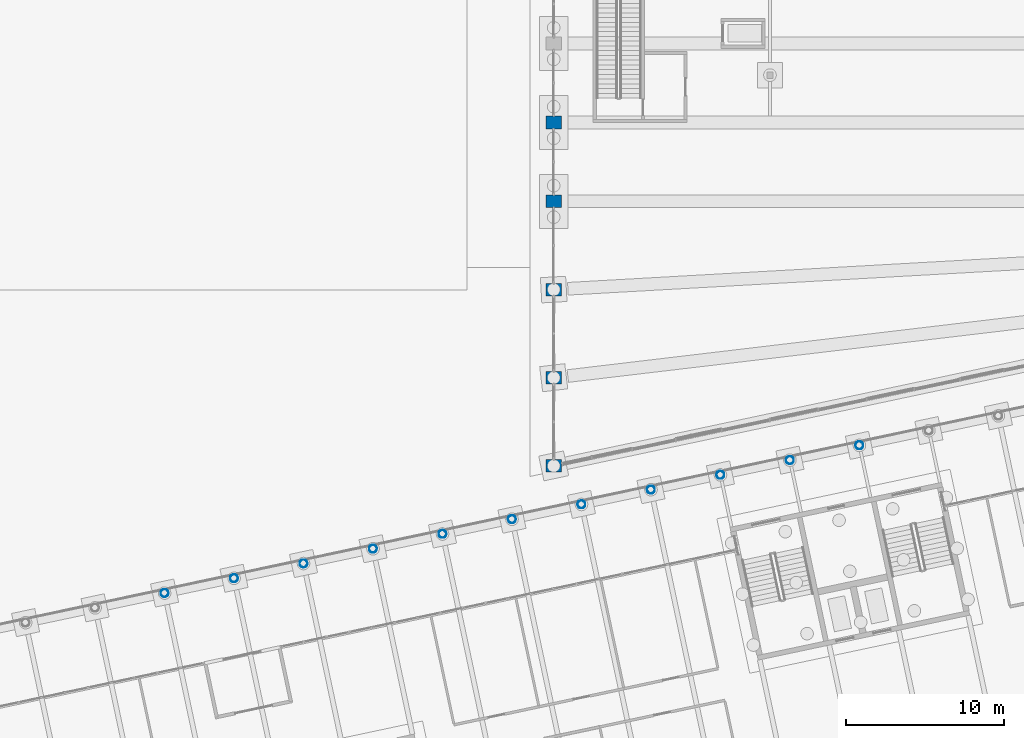
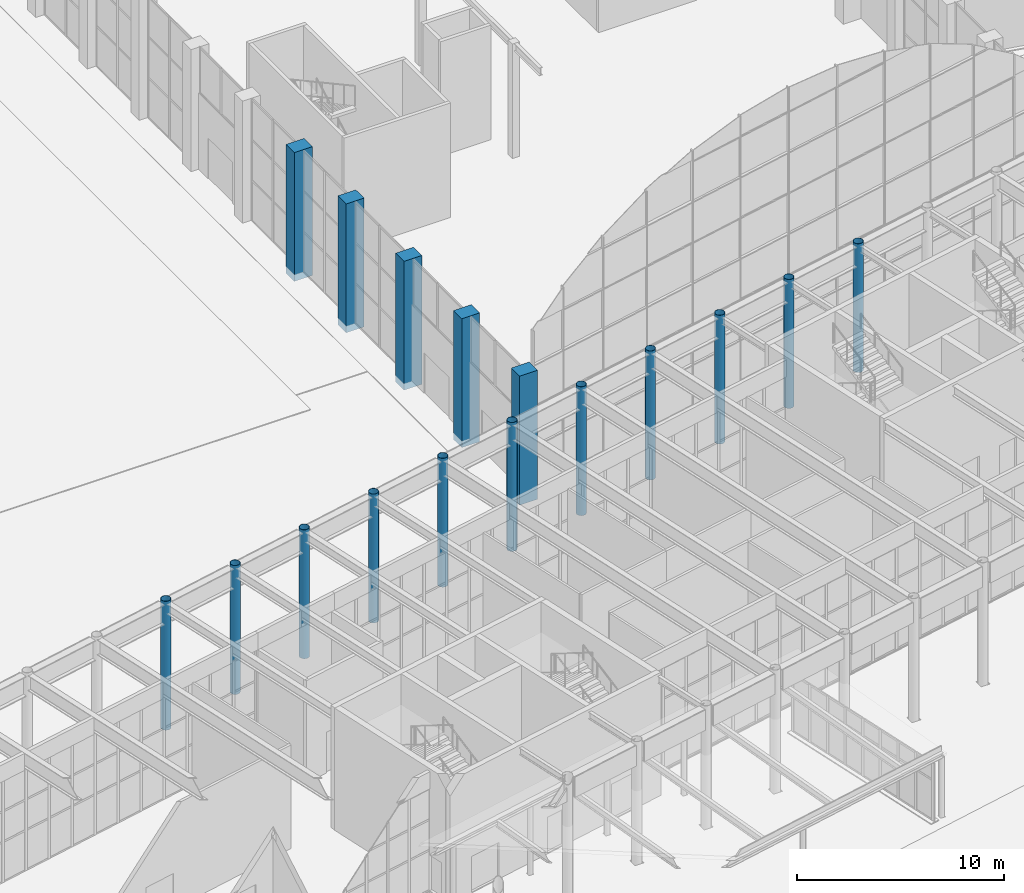
# One storey, part 23 of 239: 16 columns.
"""IFC4 building model written with IfcOpenShell, lengths in metres."""

from ifc_helpers import new_model, si_unit, direction, frame, origin, origin_2d, place, context, subcontext, project, spatial, rectangle, hollow_circle, extrude, material, material_profile, profile_set, type_object, element, save


model = new_model("IFC4")

# Units and contexts
model_context = context("Model", 3, precision=1e-05, world=origin(), true_north=direction((0.0, 1.0)))
body_context = subcontext(model_context, "Body", "Model", "MODEL_VIEW")
ifc_project = project(units=[si_unit("LENGTHUNIT", "METRE"), si_unit("AREAUNIT", "SQUARE_METRE"), si_unit("VOLUMEUNIT", "CUBIC_METRE"), si_unit("PLANEANGLEUNIT", "RADIAN"), si_unit("MASSUNIT", "GRAM", prefix="KILO")], contexts=[model_context])

# Site, building, storey
site_placement = place(None, origin())
site = spatial("IfcSite", under=ifc_project, at=site_placement, CompositionType="ELEMENT")
building_placement = place(site_placement, origin())
building = spatial("IfcBuilding", under=site, at=building_placement, Name="Okhra Congress Centre", CompositionType="ELEMENT")
storey_placement = place(building_placement, origin())
storey = spatial("IfcBuildingStorey", under=building, at=storey_placement, Name="L00", CompositionType="ELEMENT", Elevation=0.0)

# Columns
ifc_material_1 = material(Name="Concrete C40/50", Category="concrete")
ifc_material_profile_1 = material_profile(ifc_material_1, rectangle(XDim=1.0, YDim=0.800048828125, at=origin_2d()), Name="RC 1000x800")
ifc_profile_set_1 = profile_set([ifc_material_profile_1], Name="Concrete C40/50")
column_type_1 = type_object("IfcColumnType", Name="RC pier 1000x800 C40/50", PredefinedType="COLUMN", material=ifc_profile_set_1)
for number, where, z_axis, x_axis, name in (
    (1, (155.5, 74.2470703125, -0.39990234375), (0.0, 0.0, 1.0), (1.0, 0.0, 0.0), "WG.COL.L00.pier-W00"),
    (2, (155.5, 79.831298828125, -0.39990234375), (0.0, 0.0, 1.0), (1.0, 0.0, 0.0), "WG.COL.L00.pier-W01"),
    (3, (155.5, 85.415771484375, -0.39990234375), (0.0, 0.0, 1.0), (1.0, 0.0, 0.0), "WG.COL.L00.pier-W02"),
    (4, (155.5, 91.0, -0.39990234375), (0.0, 0.0, 1.0), (1.0, 0.0, 0.0), "WG.COL.L00.pier-W03"),
    (5, (155.5, 96.0, -0.39990234375), (0.0, 0.0, 1.0), (1.0, 0.0, 0.0), "WG.COL.L00.pier-W04"),
):
    element("IfcColumn", number, at=place(storey_placement, frame(where, z_axis=z_axis, x_axis=x_axis)), inside=storey, type_object=column_type_1, Name=name, PredefinedType="COLUMN", context=body_context, shape_type="SweptSolid", body=[
        extrude(rectangle(XDim=1.0, YDim=0.800048828125, at=origin_2d()), origin(), (0.0, 0.0, 1.0), 7.599853515625),
    ])
ifc_material_2 = material(Name="Steel S355J2H", Category="steel")
ifc_material_profile_2 = material_profile(ifc_material_2, hollow_circle(Radius=0.25390625, WallThickness=0.01611328125, at=origin_2d()), Name="CHS 508x16")
ifc_profile_set_2 = profile_set([ifc_material_profile_2], Name="Steel S355J2H")
column_type_2 = type_object("IfcColumnType", Name="Round steel column CHS 508x16", PredefinedType="COLUMN", material=ifc_profile_set_2)
for number, where, z_axis, x_axis, name in (
    (6, (130.849365234375, 66.18994140625, -0.39990234375), (0.0, 0.0, 1.0), (0.978147600734, 0.207911690818, 0.0), "Round column 14N"),
    (7, (135.2509765625, 67.125732421875, -0.39990234375), (0.0, 0.0, 1.0), (0.978147600734, 0.207911690818, 0.0), "Round column 15N"),
    (8, (139.65283203125, 68.061279296875, -0.39990234375), (0.0, 0.0, 1.0), (0.978147600734, 0.207911690818, 0.0), "Round column 16N"),
    (9, (144.054443359375, 68.996826171875, -0.39990234375), (0.0, 0.0, 1.0), (0.978147600734, 0.207911690818, 0.0), "Round column 17N"),
    (10, (148.4560546875, 69.932373046875, -0.39990234375), (0.0, 0.0, 1.0), (0.978147600734, 0.207911690818, 0.0), "Round column 18N"),
    (11, (152.857666015625, 70.867919921875, -0.39990234375), (0.0, 0.0, 1.0), (0.978147600734, 0.207911690818, 0.0), "Round column 19N"),
    (12, (157.25927734375, 71.8037109375, -0.39990234375), (0.0, 0.0, 1.0), (0.978147600734, 0.207911690818, 0.0), "Round column 20N"),
    (13, (161.6611328125, 72.7392578125, -0.39990234375), (0.0, 0.0, 1.0), (0.978147600734, 0.207911690818, 0.0), "Round column 21N"),
    (14, (166.062744140625, 73.6748046875, -0.39990234375), (0.0, 0.0, 1.0), (0.978147600734, 0.207911690818, 0.0), "Round column 22N"),
    (15, (170.46435546875, 74.6103515625, -0.39990234375), (0.0, 0.0, 1.0), (0.978147600734, 0.207911690818, 0.0), "Round column 23N"),
    (16, (174.865966796875, 75.546142578125, -0.39990234375), (0.0, 0.0, 1.0), (0.978147600734, 0.207911690818, 0.0), "Round column 24N"),
):
    element("IfcColumn", number, at=place(storey_placement, frame(where, z_axis=z_axis, x_axis=x_axis)), inside=storey, type_object=column_type_2, Name=name, PredefinedType="COLUMN", context=body_context, shape_type="SweptSolid", body=[
        extrude(hollow_circle(Radius=0.25390625, WallThickness=0.01611328125, at=origin_2d()), origin(), (0.0, 0.0, 1.0), 7.599853515625),
    ])

save(model, "model.ifc")
